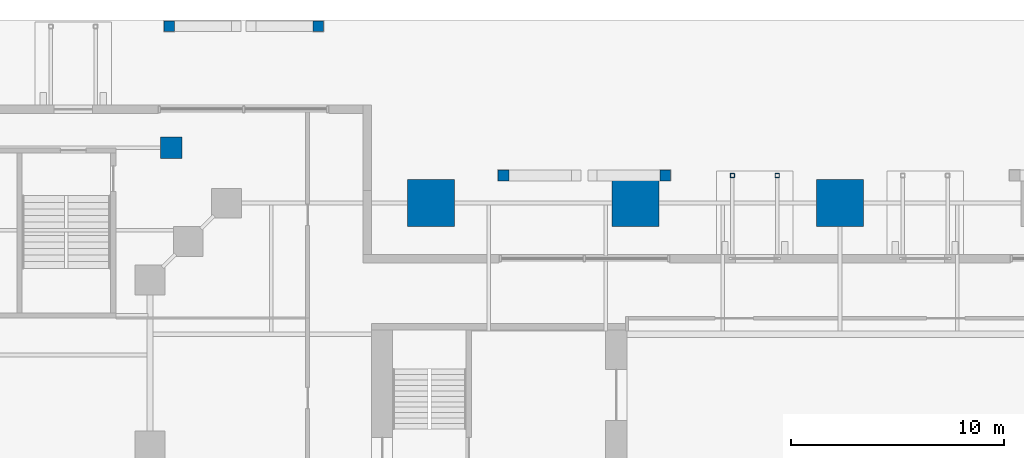
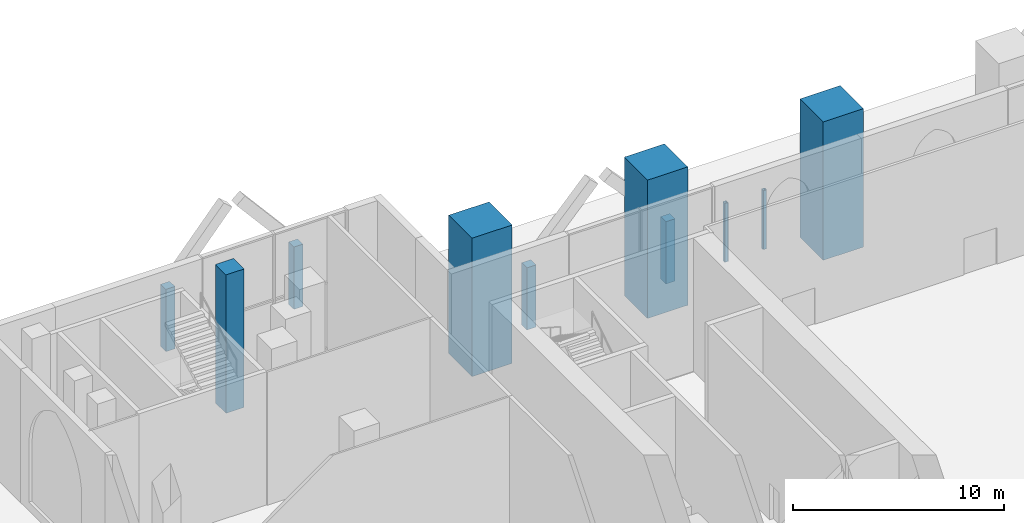
# One storey, part 10 of 38: 10 columns.
"""IFC4 building model written with IfcOpenShell, lengths in metres."""

from ifc_helpers import new_model, si_unit, direction, frame, origin, origin_2d, place, context, subcontext, project, spatial, rectangle, hollow_rectangle, extrude, material, material_profile, profile_set, type_object, element, save


model = new_model("IFC4")

# Units and contexts
model_context = context("Model", 3, precision=1e-05, world=origin(), true_north=direction((0.0, 1.0)))
body_context = subcontext(model_context, "Body", "Model", "MODEL_VIEW")
ifc_project = project(units=[si_unit("LENGTHUNIT", "METRE"), si_unit("AREAUNIT", "SQUARE_METRE"), si_unit("VOLUMEUNIT", "CUBIC_METRE"), si_unit("PLANEANGLEUNIT", "RADIAN"), si_unit("MASSUNIT", "GRAM", prefix="KILO")], contexts=[model_context])

# Site, building, storey
site_placement = place(None, origin())
site = spatial("IfcSite", under=ifc_project, at=site_placement, CompositionType="ELEMENT")
building_placement = place(site_placement, origin())
building = spatial("IfcBuilding", under=site, at=building_placement, Name="Ogive Exchange Tower", CompositionType="ELEMENT")
storey_placement = place(building_placement, origin())
storey = spatial("IfcBuildingStorey", under=building, at=storey_placement, Name="L00", CompositionType="ELEMENT", Elevation=0.0)

# Columns
ifc_material_1 = material(Name="Concrete C70/85", Category="concrete")
ifc_material_profile_1 = material_profile(ifc_material_1, rectangle(XDim=0.5, YDim=0.5, at=origin_2d()), Name="RC 500x500")
ifc_profile_set_1 = profile_set([ifc_material_profile_1], Name="Concrete C70/85")
column_type_1 = type_object("IfcColumnType", Name="Arcade pier 500x500", PredefinedType="COLUMN", material=ifc_profile_set_1)
for number, where, z_axis, x_axis, name in (
    (1, (-8.199951171875, 32.699951171875, -0.10009765625), (0.0, 0.0, 1.0), (1.0, 0.0, 0.0), "Arcade pier"),
    (2, (-15.800048828125, 32.699951171875, -0.10009765625), (0.0, 0.0, 1.0), (1.0, 0.0, 0.0), "Arcade pier"),
    (3, (-24.5, 39.699951171875, -0.10009765625), (0.0, 0.0, 1.0), (1.0, 0.0, 0.0), "Arcade pier"),
    (4, (-31.5, 39.699951171875, -0.10009765625), (0.0, 0.0, 1.0), (1.0, 0.0, 0.0), "Arcade pier"),
):
    element("IfcColumn", number, at=place(storey_placement, frame(where, z_axis=z_axis, x_axis=x_axis)), inside=storey, type_object=column_type_1, Name=name, PredefinedType="COLUMN", context=body_context, shape_type="SweptSolid", body=[
        extrude(rectangle(XDim=0.5, YDim=0.5, at=origin_2d()), origin(), (0.0, 0.0, 1.0), 3.60009765625),
    ])
ifc_material_2 = material(Name="Steel ASTM A1085 Gr A", Category="steel")
ifc_material_profile_2 = material_profile(ifc_material_2, hollow_rectangle(XDim=0.202880859375, YDim=0.202880859375, WallThickness=0.0126953125, InnerFilletRadius=0.0126953125, OuterFilletRadius=0.025390625, at=origin_2d()), Name="HSS203.2x203.2x12.7")
ifc_profile_set_2 = profile_set([ifc_material_profile_2], Name="Steel ASTM A1085 Gr A")
column_type_2 = type_object("IfcColumnType", Name="Canopy post HSS203.2x203.2x12.7", PredefinedType="COLUMN", material=ifc_profile_set_2)
for number, where, z_axis, x_axis, name in (
    (5, (-2.949951171875, 32.699951171875, -0.10009765625), (0.0, 0.0, 1.0), (-1.0, 0.0, 0.0), "Canopy post"),
    (6, (-5.050048828125, 32.699951171875, -0.10009765625), (0.0, 0.0, 1.0), (-1.0, 0.0, 0.0), "Canopy post"),
):
    element("IfcColumn", number, at=place(storey_placement, frame(where, z_axis=z_axis, x_axis=x_axis)), inside=storey, type_object=column_type_2, Name=name, PredefinedType="COLUMN", context=body_context, shape_type="SweptSolid", body=[
        extrude(hollow_rectangle(XDim=0.202880859375, YDim=0.202880859375, WallThickness=0.0126953125, InnerFilletRadius=0.0126953125, OuterFilletRadius=0.025390625, at=origin_2d()), origin(), (0.0, 0.0, 1.0), 3.400146484375),
    ])
ifc_material_profile_3 = material_profile(ifc_material_1, rectangle(XDim=1.0, YDim=1.0, at=origin_2d()), Name="RC 1000x1000")
ifc_profile_set_3 = profile_set([ifc_material_profile_3], Name="Concrete C70/85")
column_type_3 = type_object("IfcColumnType", Name="RC column 1000x1000", PredefinedType="COLUMN", material=ifc_profile_set_3)
column_placement = place(storey_placement, frame((-31.39990234375, 34.0, 0.0), z_axis=(0.0, 0.0, 1.0), x_axis=(1.0, 0.0, 0.0)))
element("IfcColumn", 7, at=column_placement, inside=storey, type_object=column_type_3, Name="Podium column", PredefinedType="COLUMN", context=body_context, shape_type="SweptSolid", body=[
    extrude(rectangle(XDim=1.0, YDim=1.0, at=origin_2d()), origin(), (0.0, 0.0, 1.0), 8.0),
])
ifc_material_profile_4 = material_profile(ifc_material_1, rectangle(XDim=2.199951171875, YDim=2.199951171875, at=origin_2d()), Name="RC 2200x2200")
ifc_profile_set_4 = profile_set([ifc_material_profile_4], Name="Concrete C70/85")
column_type_4 = type_object("IfcColumnType", Name="RC pier 2200x2200", PredefinedType="COLUMN", material=ifc_profile_set_4)
for number, where, z_axis, x_axis, name in (
    (8, (-19.199951171875, 31.39990234375, 0.0), (0.0, 0.0, 1.0), (1.0, 0.0, 0.0), "Entrance pier"),
    (9, (-9.60009765625, 31.39990234375, 0.0), (0.0, 0.0, 1.0), (1.0, 0.0, 0.0), "Entrance pier"),
    (10, (0.0, 31.39990234375, 0.0), (0.0, 0.0, 1.0), (1.0, 0.0, 0.0), "Entrance pier"),
):
    element("IfcColumn", number, at=place(storey_placement, frame(where, z_axis=z_axis, x_axis=x_axis)), inside=storey, type_object=column_type_4, Name=name, PredefinedType="COLUMN", context=body_context, shape_type="SweptSolid", body=[
        extrude(rectangle(XDim=2.199951171875, YDim=2.199951171875, at=origin_2d()), origin(), (0.0, 0.0, 1.0), 8.0),
    ])

save(model, "model.ifc")
